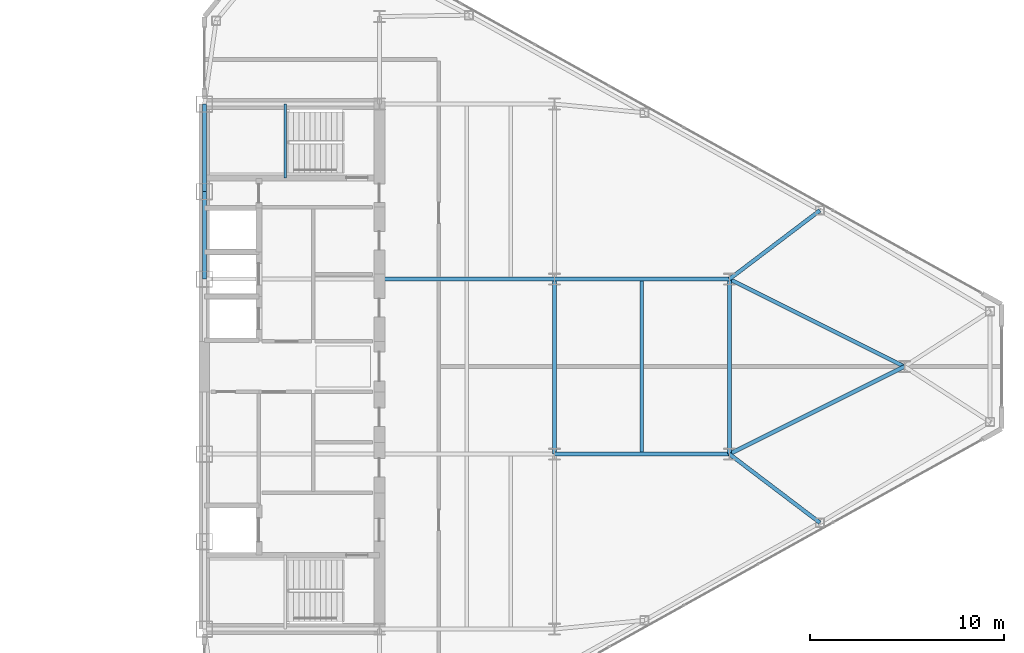
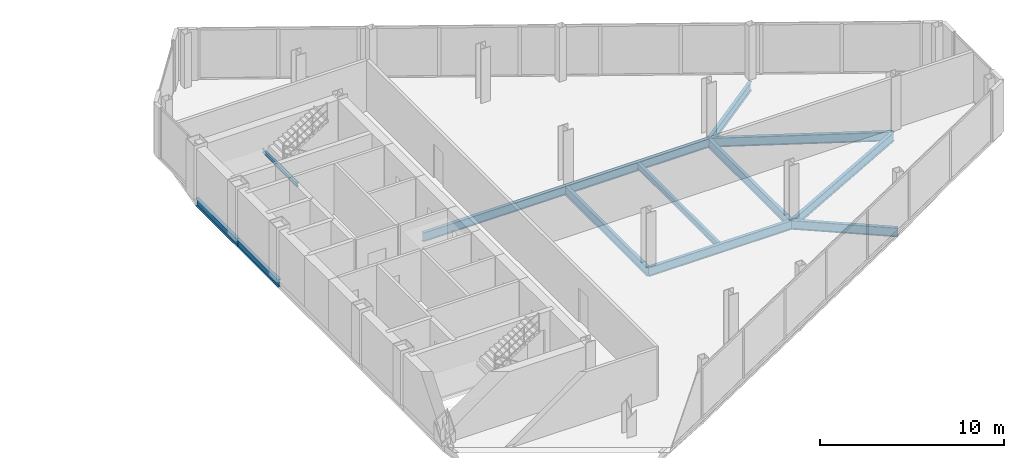
# One storey, part 14 of 26: 13 beams.
"""IFC4 building model written with IfcOpenShell, lengths in metres."""

from ifc_helpers import new_model, si_unit, direction, frame, origin, origin_2d, place, context, subcontext, project, spatial, i_section, extrude, source, transform, mapped, material, material_profile, profile_set, type_object, type_shapes, element, save


model = new_model("IFC4")

# Units and contexts
model_context = context("Model", 3, precision=1e-05, world=origin(), true_north=direction((0.0, 1.0)))
body_context = subcontext(model_context, "Body", "Model", "MODEL_VIEW")
ifc_project = project(units=[si_unit("LENGTHUNIT", "METRE"), si_unit("AREAUNIT", "SQUARE_METRE"), si_unit("VOLUMEUNIT", "CUBIC_METRE"), si_unit("PLANEANGLEUNIT", "RADIAN"), si_unit("MASSUNIT", "GRAM", prefix="KILO")], contexts=[model_context])

# Site, building, storey
site_placement = place(None, origin())
site = spatial("IfcSite", under=ifc_project, at=site_placement, CompositionType="ELEMENT")
building_placement = place(site_placement, origin())
building = spatial("IfcBuilding", under=site, at=building_placement, Name="Seokmaru Belvedere", CompositionType="ELEMENT")
storey_placement = place(building_placement, frame((0.0, 0.0, 181.5)))
storey = spatial("IfcBuildingStorey", under=building, at=storey_placement, Name="L48", CompositionType="ELEMENT", Elevation=181.5)

# Beams
ifc_material = material(Name="Steel SM355 (355 MPa)", Category="steel")
ifc_material_profile_1 = material_profile(ifc_material, i_section(OverallWidth=0.199951171875, OverallDepth=0.5, WebThickness=0.010009765625, FlangeThickness=0.01611328125, at=origin_2d()), Name="H-500x200x10x16")
ifc_profile_set_1 = profile_set([ifc_material_profile_1], Name="Steel SM355 (355 MPa)")
beam_type_1 = type_object("IfcBeamType", Name="Perimeter Spandrel Beam H-500", PredefinedType="SPANDREL", material=ifc_profile_set_1)
shared_shape_1 = source(origin(), body_context, "Body", "SweptSolid", [
    extrude(i_section(OverallWidth=0.199951171875, OverallDepth=0.5, WebThickness=0.010009765625, FlangeThickness=0.01611328125, at=origin_2d()), origin(), (0.0, 0.0, 1.0), 4.5),
])
type_shapes(beam_type_1, [shared_shape_1])
for number, where, z_axis, x_axis, name in (
    (1, (27.5, 4.5, -0.469970703125), (0.0, 1.0, 0.0), (-1.0, 0.0, 0.0), "L48 E Portal Spine Spandrel 4"),
    (2, (27.5, 9.0, -0.469970703125), (0.0, 1.0, 0.0), (-1.0, 0.0, 0.0), "L48 E Portal Spine Spandrel 5"),
):
    element("IfcBeam", number, at=place(storey_placement, frame(where, z_axis=z_axis, x_axis=x_axis)), inside=storey, type_object=beam_type_1, Name=name, PredefinedType="SPANDREL", context=body_context, shape_type="MappedRepresentation", body=[
        mapped(shared_shape_1, transform((0.0, 0.0, 0.0), scale=1.0)),
    ])
ifc_material_profile_2 = material_profile(ifc_material, i_section(OverallWidth=0.199951171875, OverallDepth=0.60009765625, WebThickness=0.010986328125, FlangeThickness=0.01708984375, at=origin_2d()), Name="H-600x200x11x17")
ifc_profile_set_2 = profile_set([ifc_material_profile_2], Name="Steel SM355 (355 MPa)")
beam_type_2 = type_object("IfcBeamType", Name="Primary Floor Girder H-600", PredefinedType="BEAM", material=ifc_profile_set_2)
shared_shape_2 = source(origin(), body_context, "Body", "SweptSolid", [
    extrude(i_section(OverallWidth=0.199951171875, OverallDepth=0.60009765625, WebThickness=0.010986328125, FlangeThickness=0.01708984375, at=origin_2d()), origin(), (0.0, 0.0, 1.0), 9.0),
])
for number, where, z_axis, x_axis, name in (
    (3, (45.5, -4.5, -0.52001953125), (0.0, 1.0, 0.0), (-1.0, 0.0, 0.0), "L48 E Interior Grid Girder 2"),
    (4, (36.5, 4.5, -0.52001953125), (1.0, 0.0, 0.0), (0.0, 1.0, 0.0), "L48 E Wing Primary Girder 3"),
    (5, (45.5, -4.5, -0.52001953125), (1.0, 0.0, 0.0), (0.0, 1.0, 0.0), "L48 E Outer Wing Girder 1"),
    (6, (45.5, 4.5, -0.52001953125), (1.0, 0.0, 0.0), (0.0, 1.0, 0.0), "L48 E Outer Wing Girder 2"),
    (7, (54.5, -4.5, -0.52001953125), (0.0, 1.0, 0.0), (-1.0, 0.0, 0.0), "L48 E Apex Frame Girder"),
):
    element("IfcBeam", number, at=place(storey_placement, frame(where, z_axis=z_axis, x_axis=x_axis)), inside=storey, type_object=beam_type_2, Name=name, PredefinedType="BEAM", context=body_context, shape_type="MappedRepresentation", body=[
        mapped(shared_shape_2, transform((0.0, 0.0, 0.0), scale=1.0)),
    ])
shared_shape_3 = source(origin(), body_context, "Body", "SweptSolid", [
    extrude(i_section(OverallWidth=0.199951171875, OverallDepth=0.60009765625, WebThickness=0.010986328125, FlangeThickness=0.01708984375, at=origin_2d()), origin(), (0.0, 0.0, 1.0), 10.062255859375),
])
for number, where, z_axis, x_axis, name in (
    (8, (54.5, -4.5, -0.52001953125), (0.894427191, 0.4472135955, 0.0), (-0.4472135955, 0.894427191, 0.0), "L48 E Apex Converging Girder 1"),
    (9, (54.5, 4.5, -0.52001953125), (0.894427191, -0.4472135955, 0.0), (0.4472135955, 0.894427191, 0.0), "L48 E Apex Converging Girder 2"),
):
    element("IfcBeam", number, at=place(storey_placement, frame(where, z_axis=z_axis, x_axis=x_axis)), inside=storey, type_object=beam_type_2, Name=name, PredefinedType="BEAM", context=body_context, shape_type="MappedRepresentation", body=[
        mapped(shared_shape_3, transform((0.0, 0.0, 0.0), scale=1.0)),
    ])
ifc_material_profile_3 = material_profile(ifc_material, i_section(OverallWidth=0.18505859375, OverallDepth=0.389892578125, WebThickness=0.008056640625, FlangeThickness=0.011962890625, at=origin_2d()), Name="H-390x185x8x12")
ifc_profile_set_3 = profile_set([ifc_material_profile_3], Name="Steel SM355 (355 MPa)")
beam_type_3 = type_object("IfcBeamType", Name="Secondary Floor Joist H-350", PredefinedType="JOIST", material=ifc_profile_set_3)
shared_shape_4 = source(origin(), body_context, "Body", "SweptSolid", [
    extrude(i_section(OverallWidth=0.18505859375, OverallDepth=0.389892578125, WebThickness=0.008056640625, FlangeThickness=0.011962890625, at=origin_2d()), origin(), (0.0, 0.0, 1.0), 8.7900390625),
])
type_shapes(beam_type_3, [shared_shape_4])
beam_1_placement = place(storey_placement, frame((50.0, -4.39501953125, -0.4150390625), z_axis=(0.0, 1.0, 0.0), x_axis=(-1.0, 0.0, 0.0)))
element("IfcBeam", 10, at=beam_1_placement, inside=storey, type_object=beam_type_3, Name="L48 E Outer Bay Secondary Joist", PredefinedType="JOIST", context=body_context, shape_type="MappedRepresentation", body=[
    mapped(shared_shape_4, transform((0.0, 0.0, 0.0), scale=1.0)),
])
shared_shape_5 = source(origin(), body_context, "Body", "SweptSolid", [
    extrude(i_section(OverallWidth=0.199951171875, OverallDepth=0.60009765625, WebThickness=0.010986328125, FlangeThickness=0.01708984375, at=origin_2d()), origin(), (0.0, 0.0, 1.0), 5.842529296875),
])
type_shapes(beam_type_2, [shared_shape_2, shared_shape_3, shared_shape_5])
for number, where, z_axis, x_axis, name in (
    (11, (59.154541015625, -8.031494140625, -0.52001953125), (-0.796653109879, 0.604436781243, 0.0), (-0.604436781243, -0.796653109879, 0.0), "L48 E Flank Radial Floor Girder S-3"),
    (12, (59.154541015625, 8.031494140625, -0.52001953125), (-0.796653109879, -0.604436781243, 0.0), (0.604436781243, -0.796653109879, 0.0), "L48 E Flank Radial Floor Girder N-3"),
):
    element("IfcBeam", number, at=place(storey_placement, frame(where, z_axis=z_axis, x_axis=x_axis)), inside=storey, type_object=beam_type_2, Name=name, PredefinedType="BEAM", context=body_context, shape_type="MappedRepresentation", body=[
        mapped(shared_shape_5, transform((0.0, 0.0, 0.0), scale=1.0)),
    ])
ifc_material_profile_4 = material_profile(ifc_material, i_section(OverallWidth=0.125, OverallDepth=0.25, WebThickness=0.006103515625, FlangeThickness=0.009033203125, at=origin_2d()), Name="H-250x125x6x9")
ifc_profile_set_4 = profile_set([ifc_material_profile_4], Name="Steel SM355 (355 MPa)")
beam_type_4 = type_object("IfcBeamType", Name="Stair Mid-Landing Support Beam H-250", PredefinedType="JOIST", material=ifc_profile_set_4)
shared_shape_6 = source(origin(), body_context, "Body", "SweptSolid", [
    extrude(i_section(OverallWidth=0.125, OverallDepth=0.25, WebThickness=0.006103515625, FlangeThickness=0.009033203125, at=origin_2d()), origin(), (0.0, 0.0, 1.0), 3.800048828125),
])
type_shapes(beam_type_4, [shared_shape_6])
beam_2_placement = place(storey_placement, frame((31.64990234375, 9.699951171875, 1.47509765625), z_axis=(0.0, 1.0, 0.0), x_axis=(-1.0, 0.0, 0.0)))
element("IfcBeam", 13, at=beam_2_placement, inside=storey, type_object=beam_type_4, Name="L48 Stair ST-E2 Mid-Landing Support Beam 1", PredefinedType="JOIST", context=body_context, shape_type="MappedRepresentation", body=[
    mapped(shared_shape_6, transform((0.0, 0.0, 0.0), scale=1.0)),
])

save(model, "model.ifc")
